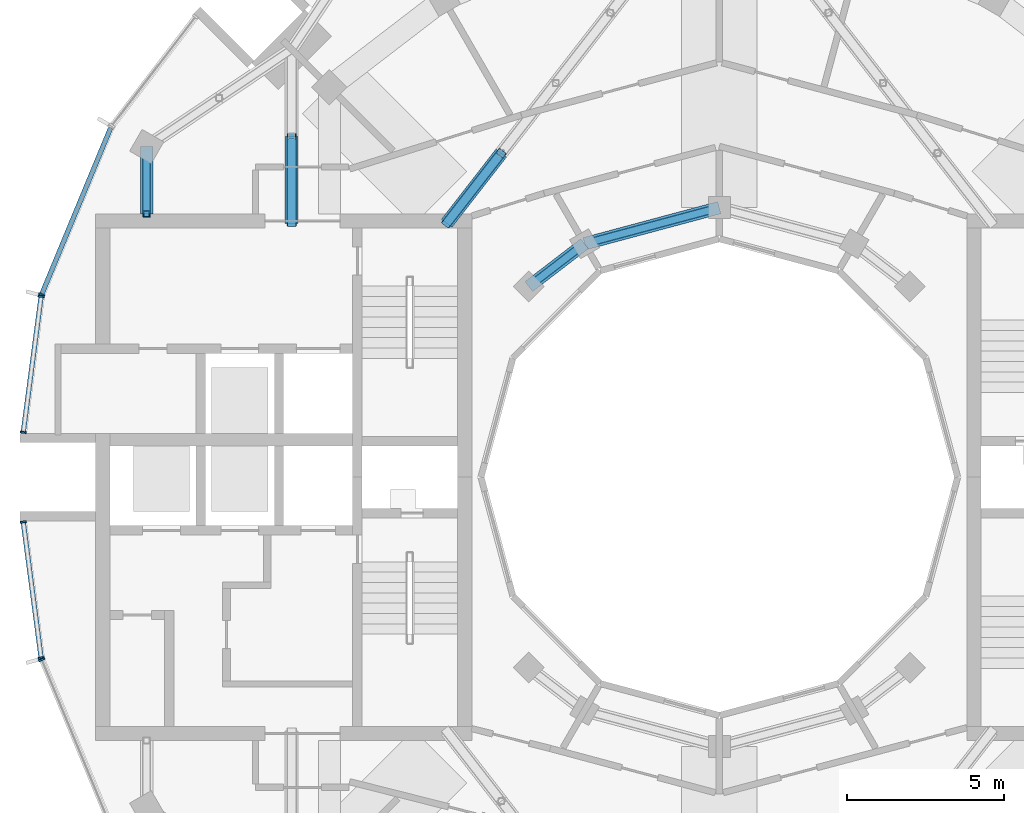
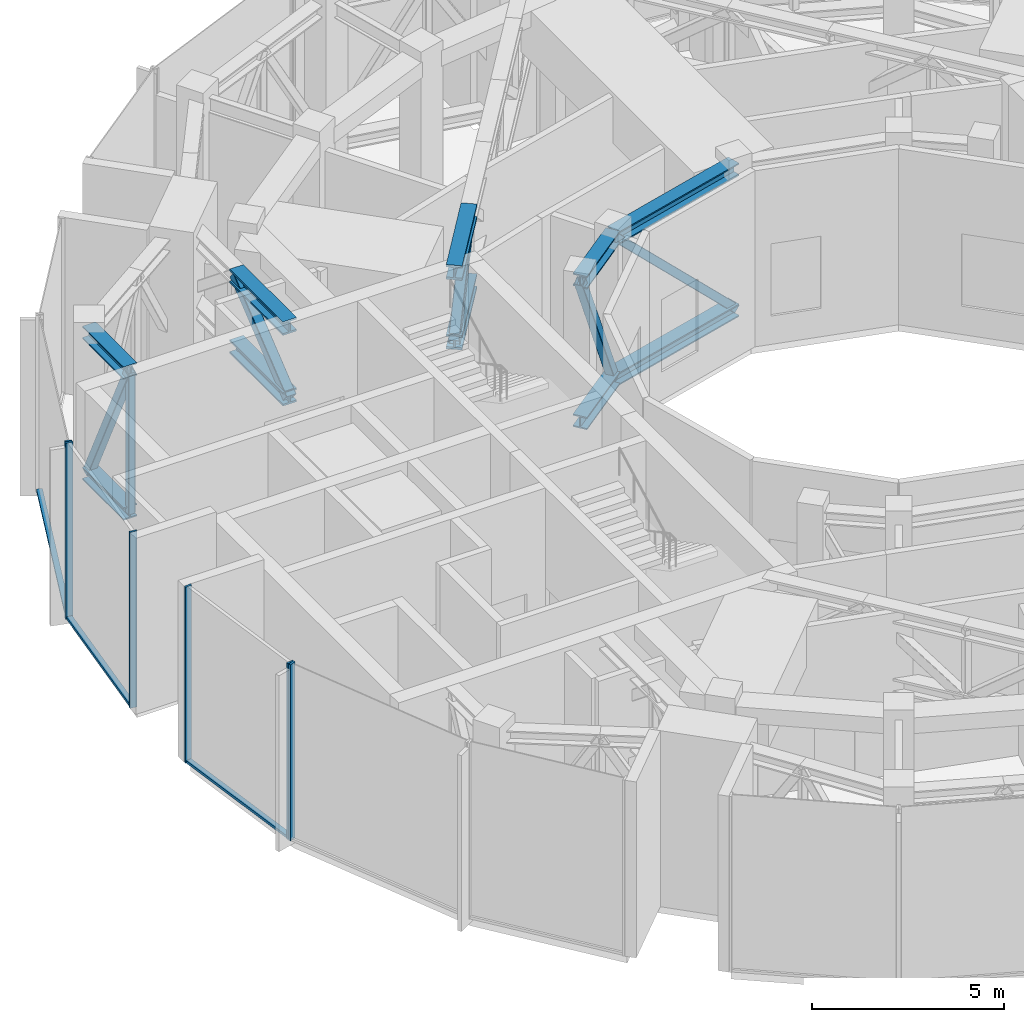
# One storey, part 4 of 17: 25 members, 4 elements without a shape of their own.
"""IFC4 building model written with IfcOpenShell, lengths in metres."""

from ifc_helpers import new_model, si_unit, direction, frame, origin, origin_2d, place, context, subcontext, project, spatial, rectangle, hollow_rectangle, i_section, extrude, material, layer, layer_set, material_profile, profile_set, type_object, element, aggregate, save


model = new_model("IFC4")

# Units and contexts
model_context = context("Model", 3, precision=1e-05, world=origin(), true_north=direction((0.0, 1.0)))
body_context = subcontext(model_context, "Body", "Model", "MODEL_VIEW")
ifc_project = project(units=[si_unit("LENGTHUNIT", "METRE"), si_unit("AREAUNIT", "SQUARE_METRE"), si_unit("VOLUMEUNIT", "CUBIC_METRE"), si_unit("PLANEANGLEUNIT", "RADIAN"), si_unit("MASSUNIT", "GRAM", prefix="KILO")], contexts=[model_context])

# Site, building, storey
site_placement = place(None, origin())
site = spatial("IfcSite", under=ifc_project, at=site_placement, CompositionType="ELEMENT")
building_placement = place(site_placement, origin())
building = spatial("IfcBuilding", under=site, at=building_placement, Name="Torre Brocal", CompositionType="ELEMENT")
storey_placement = place(building_placement, frame((0.0, 0.0, 309.300048828125)))
storey = spatial("IfcBuildingStorey", under=building, at=storey_placement, Name="L71", CompositionType="ELEMENT", Elevation=309.300048828125)

# Member
ifc_material_1 = material(Name="Steel A500 Grade C", Category="steel")
ifc_material_profile_1 = material_profile(ifc_material_1, hollow_rectangle(XDim=0.203125, YDim=0.203125, WallThickness=0.01171875, InnerFilletRadius=0.01171875, OuterFilletRadius=0.023681640625, at=origin_2d()), Name="HSS8X8X1/2")
ifc_profile_set_1 = profile_set([ifc_material_profile_1], Name="Steel A500 Grade C")
member_type_1 = type_object("IfcMemberType", Name="BELT 3 POST HSS8X8X1/2", PredefinedType="POST", material=ifc_profile_set_1)
member_1_placement = place(storey_placement, frame((61.726806640625, 83.39990234375, 0.599365234375), z_axis=(0.0, 0.0, 1.0), x_axis=(1.0, 0.0, 0.0)))
element("IfcMember", 1, at=member_1_placement, inside=storey, type_object=member_type_1, Name="Member BT3-P09", PredefinedType="POST", context=body_context, shape_type="SweptSolid", body=[
    extrude(hollow_rectangle(XDim=0.203125, YDim=0.203125, WallThickness=0.01171875, InnerFilletRadius=0.01171875, OuterFilletRadius=0.023681640625, at=origin_2d()), origin(), (0.0, 0.0, 1.0), 4.481201171875),
])

# Curtain wall, member
ifc_material_2 = material(Name="Aluminium and glass", Category="aluminium")
ifc_layer_1 = layer(ifc_material_2, 0.199951171875)
ifc_layer_set_1 = layer_set([ifc_layer_1], Name="Aluminium and glass")
curtain_wall_type_1 = type_object("IfcCurtainWallType", Name="CW-1 CURTAIN WALL 5600 HIGH", PredefinedType="NOTDEFINED", material=ifc_layer_set_1)
curtain_wall_1_placement = place(storey_placement, origin())
curtain_wall_1 = element("IfcCurtainWall", 2, at=curtain_wall_1_placement, inside=storey, type_object=curtain_wall_type_1, Name="CW-1 RUN 11", PredefinedType="NOTDEFINED")
ifc_material_3 = material(Name="Aluminium, dark anodised", Category="aluminium")
ifc_material_profile_2 = material_profile(ifc_material_3, rectangle(XDim=0.199951171875, YDim=0.06005859375, at=origin_2d()), Name="CW-1 MULLION 60X200")
ifc_profile_set_2 = profile_set([ifc_material_profile_2], Name="Aluminium, dark anodised")
member_type_2 = type_object("IfcMemberType", Name="CW-1 MULLION 60X200", PredefinedType="MULLION", material=ifc_profile_set_2)
member_2_placement = place(storey_placement, frame((58.37548828125, 80.824951171875, 0.0), z_axis=(0.0, 0.0, 1.0), x_axis=(0.923879532545, -0.382683432284, 0.0)))
member_2 = element("IfcMember", 3, at=member_2_placement, type_object=member_type_2, Name="CW1-2 mullion 2", PredefinedType="MULLION", context=body_context, shape_type="SweptSolid", body=[
    extrude(rectangle(XDim=0.199951171875, YDim=0.06005859375, at=origin_2d()), origin(), (0.0, 0.0, 1.0), 5.599853515625),
])

curtain_wall_2_placement = place(storey_placement, origin())
curtain_wall_2 = element("IfcCurtainWall", 4, at=curtain_wall_2_placement, inside=storey, type_object=curtain_wall_type_1, Name="CW-1 RUN 14", PredefinedType="NOTDEFINED")
member_3_placement = place(storey_placement, frame((58.37548828125, 69.175048828125, 0.0), z_axis=(0.0, 0.0, 1.0), x_axis=(0.923879532545, 0.382683432284, 0.0)))
member_3 = element("IfcMember", 5, at=member_3_placement, type_object=member_type_2, Name="CW1-2 mullion 1", PredefinedType="MULLION", context=body_context, shape_type="SweptSolid", body=[
    extrude(rectangle(XDim=0.199951171875, YDim=0.06005859375, at=origin_2d()), origin(), (0.0, 0.0, 1.0), 5.599853515625),
])
aggregate(curtain_wall_2, [member_3])

# Member
ifc_material_4 = material(Name="Aluminium, dark anodised", Category="aluminium")
ifc_material_profile_3 = material_profile(ifc_material_4, rectangle(XDim=0.159912109375, YDim=0.080078125, at=origin_2d()), Name="CW-1 TRANSOM 160X80")
ifc_profile_set_3 = profile_set([ifc_material_profile_3], Name="Aluminium, dark anodised")
member_type_3 = type_object("IfcMemberType", Name="CW-1 TRANSOM 160X80", PredefinedType="USERDEFINED", material=ifc_profile_set_3)
member_4_placement = place(storey_placement, frame((60.578857421875, 86.14404296875, 0.0400390625), z_axis=(-0.382710701355, -0.923868236854, 0.0), x_axis=(0.923868236854, -0.382710701355, 0.0)))
member_4 = element("IfcMember", 6, at=member_4_placement, type_object=member_type_3, Name="CW1-2 transom 1.1", ObjectType="TRANSOM", PredefinedType="USERDEFINED", context=body_context, shape_type="SweptSolid", body=[
    extrude(rectangle(XDim=0.159912109375, YDim=0.080078125, at=origin_2d()), origin(), (0.0, 0.0, 1.0), 5.727294921875),
])

aggregate(curtain_wall_1, [member_2, member_4])

# Curtain wall, members
ifc_material_5 = material(Name="Aluminium and glass", Category="aluminium")
ifc_layer_2 = layer(ifc_material_5, 0.199951171875)
ifc_layer_set_2 = layer_set([ifc_layer_2], Name="Aluminium and glass")
curtain_wall_type_2 = type_object("IfcCurtainWallType", Name="CW-1B CURTAIN WALL 5600 HIGH", PredefinedType="NOTDEFINED", material=ifc_layer_set_2)
curtain_wall_3_placement = place(storey_placement, origin())
curtain_wall_3 = element("IfcCurtainWall", 7, at=curtain_wall_3_placement, inside=storey, type_object=curtain_wall_type_2, Name="CW-1B RUN 12", PredefinedType="NOTDEFINED")
ifc_material_6 = material(Name="Aluminium, dark anodised", Category="aluminium")
ifc_material_profile_4 = material_profile(ifc_material_6, rectangle(XDim=0.199951171875, YDim=0.06005859375, at=origin_2d()), Name="CW-1B MULLION 60X200")
ifc_profile_set_4 = profile_set([ifc_material_profile_4], Name="Aluminium, dark anodised")
member_type_4 = type_object("IfcMemberType", Name="CW-1B MULLION 60X200", PredefinedType="MULLION", material=ifc_profile_set_4)
member_5_placement = place(storey_placement, frame((58.360107421875, 80.767578125, 0.0), z_axis=(0.0, 0.0, 1.0), x_axis=(0.991444861374, -0.13052619222, 0.0)))
member_5 = element("IfcMember", 8, at=member_5_placement, type_object=member_type_4, Name="CW1B-2 mullion 1", PredefinedType="MULLION", context=body_context, shape_type="SweptSolid", body=[
    extrude(rectangle(XDim=0.199951171875, YDim=0.06005859375, at=origin_2d()), origin(), (0.0, 0.0, 1.0), 5.599853515625),
])
member_6_placement = place(storey_placement, frame((57.7890625, 76.4296875, 0.0), z_axis=(0.0, 0.0, 1.0), x_axis=(0.991444861374, -0.13052619222, 0.0)))
member_6 = element("IfcMember", 9, at=member_6_placement, type_object=member_type_4, Name="CW1B-2 mullion 2", PredefinedType="MULLION", context=body_context, shape_type="SweptSolid", body=[
    extrude(rectangle(XDim=0.199951171875, YDim=0.06005859375, at=origin_2d()), origin(), (0.0, 0.0, 1.0), 5.599853515625),
])

curtain_wall_4_placement = place(storey_placement, origin())
curtain_wall_4 = element("IfcCurtainWall", 10, at=curtain_wall_4_placement, inside=storey, type_object=curtain_wall_type_2, Name="CW-1B RUN 13", PredefinedType="NOTDEFINED")
member_7_placement = place(storey_placement, frame((57.7890625, 73.5703125, 0.0), z_axis=(0.0, 0.0, 1.0), x_axis=(0.991444861374, 0.13052619222, 0.0)))
member_7 = element("IfcMember", 11, at=member_7_placement, type_object=member_type_4, Name="CW1B-2 mullion 1", PredefinedType="MULLION", context=body_context, shape_type="SweptSolid", body=[
    extrude(rectangle(XDim=0.199951171875, YDim=0.06005859375, at=origin_2d()), origin(), (0.0, 0.0, 1.0), 5.599853515625),
])
member_8_placement = place(storey_placement, frame((58.360107421875, 69.232421875, 0.0), z_axis=(0.0, 0.0, 1.0), x_axis=(0.991444861374, 0.13052619222, 0.0)))
member_8 = element("IfcMember", 12, at=member_8_placement, type_object=member_type_4, Name="CW1B-2 mullion 2", PredefinedType="MULLION", context=body_context, shape_type="SweptSolid", body=[
    extrude(rectangle(XDim=0.199951171875, YDim=0.06005859375, at=origin_2d()), origin(), (0.0, 0.0, 1.0), 5.599853515625),
])

# Member
ifc_material_7 = material(Name="Aluminium, dark anodised", Category="aluminium")
ifc_material_profile_5 = material_profile(ifc_material_7, rectangle(XDim=0.159912109375, YDim=0.080078125, at=origin_2d()), Name="CW-1B TRANSOM 160X80")
ifc_profile_set_5 = profile_set([ifc_material_profile_5], Name="Aluminium, dark anodised")
member_type_5 = type_object("IfcMemberType", Name="CW-1B TRANSOM 160X80", PredefinedType="USERDEFINED", material=ifc_profile_set_5)
member_9_placement = place(storey_placement, frame((58.356201171875, 80.73779296875, 0.0400390625), z_axis=(-0.130521833991, -0.991445435136, 0.0), x_axis=(0.991445435136, -0.130521833991, 0.0)))
member_9 = element("IfcMember", 13, at=member_9_placement, type_object=member_type_5, Name="CW1B-2 transom 1.1", ObjectType="TRANSOM", PredefinedType="USERDEFINED", context=body_context, shape_type="SweptSolid", body=[
    extrude(rectangle(XDim=0.159912109375, YDim=0.080078125, at=origin_2d()), origin(), (0.0, 0.0, 1.0), 4.315185546875),
])

aggregate(curtain_wall_3, [member_5, member_6, member_9])

member_10_placement = place(storey_placement, frame((57.79296875, 73.54052734375, 0.0400390625), z_axis=(0.130521833991, -0.991445435136, 0.0), x_axis=(0.991445435136, 0.130521833991, 0.0)))
member_10 = element("IfcMember", 14, at=member_10_placement, type_object=member_type_5, Name="CW1B-2 transom 1.1", ObjectType="TRANSOM", PredefinedType="USERDEFINED", context=body_context, shape_type="SweptSolid", body=[
    extrude(rectangle(XDim=0.159912109375, YDim=0.080078125, at=origin_2d()), origin(), (0.0, 0.0, 1.0), 4.315185546875),
])

aggregate(curtain_wall_4, [member_7, member_8, member_10])

# Members
ifc_material_8 = material(Name="Steel A992", Category="steel")
ifc_material_profile_6 = material_profile(ifc_material_8, i_section(OverallWidth=0.4013671875, OverallDepth=0.398681640625, WebThickness=0.02490234375, FlangeThickness=0.03955078125, at=origin_2d()), Name="W14X211")
ifc_profile_set_6 = profile_set([ifc_material_profile_6], Name="Steel A992")
member_type_6 = type_object("IfcMemberType", Name="TRUSS BOTTOM CHORD W14X211", PredefinedType="CHORD", material=ifc_profile_set_6)
member_11_placement = place(storey_placement, frame((61.726806640625, 85.550048828125, 0.599365234375), z_axis=(0.0, -1.0, 0.0), x_axis=(1.0, 0.0, 0.0)))
element("IfcMember", 15, at=member_11_placement, inside=storey, type_object=member_type_6, Name="Member BT3-C34", PredefinedType="CHORD", context=body_context, shape_type="SweptSolid", body=[
    extrude(i_section(OverallWidth=0.4013671875, OverallDepth=0.398681640625, WebThickness=0.02490234375, FlangeThickness=0.03955078125, at=origin_2d()), origin(), (0.0, 0.0, 1.0), 2.150146484375),
])
member_12_placement = place(storey_placement, frame((80.0, 83.60009765625, 0.599365234375), z_axis=(-0.965917450527, -0.25885030185, 0.0), x_axis=(0.25885030185, -0.965917450527, 0.0)))
element("IfcMember", 16, at=member_12_placement, inside=storey, type_object=member_type_6, Name="Member BT3-C78", PredefinedType="CHORD", context=body_context, shape_type="SweptSolid", body=[
    extrude(i_section(OverallWidth=0.4013671875, OverallDepth=0.398681640625, WebThickness=0.02490234375, FlangeThickness=0.03955078125, at=origin_2d()), origin(), (0.0, 0.0, 1.0), 4.45166015625),
])
member_13_placement = place(storey_placement, frame((75.699951171875, 82.44775390625, 0.599365234375), z_axis=(-0.793334976885, -0.608785359918, 0.0), x_axis=(0.608785359918, -0.793334976885, 0.0)))
element("IfcMember", 17, at=member_13_placement, inside=storey, type_object=member_type_6, Name="Member BT3-C80", PredefinedType="CHORD", context=body_context, shape_type="SweptSolid", body=[
    extrude(i_section(OverallWidth=0.4013671875, OverallDepth=0.398681640625, WebThickness=0.02490234375, FlangeThickness=0.03955078125, at=origin_2d()), origin(), (0.0, 0.0, 1.0), 2.244873046875),
])
ifc_material_9 = material(Name="Steel A992", Category="steel")
ifc_material_profile_7 = material_profile(ifc_material_9, i_section(OverallWidth=0.41162109375, OverallDepth=0.434326171875, WebThickness=0.035888671875, FlangeThickness=0.057373046875, at=origin_2d()), Name="W14X311")
ifc_profile_set_7 = profile_set([ifc_material_profile_7], Name="Steel A992")
member_type_7 = type_object("IfcMemberType", Name="TRUSS BOTTOM CHORD W14X311", PredefinedType="CHORD", material=ifc_profile_set_7)
member_14_placement = place(storey_placement, frame((66.352783203125, 83.10009765625, 2.817138671875), z_axis=(0.0, 1.0, 0.0), x_axis=(-1.0, 0.0, 0.0)))
element("IfcMember", 18, at=member_14_placement, inside=storey, type_object=member_type_7, Name="Member OT3-C26", PredefinedType="CHORD", context=body_context, shape_type="SweptSolid", body=[
    extrude(i_section(OverallWidth=0.41162109375, OverallDepth=0.434326171875, WebThickness=0.035888671875, FlangeThickness=0.057373046875, at=origin_2d()), origin(), (0.0, 0.0, 1.0), 2.7734375),
])
ifc_material_10 = material(Name="Steel A992", Category="steel")
ifc_material_profile_8 = material_profile(ifc_material_10, i_section(OverallWidth=0.421630859375, OverallDepth=0.46484375, WebThickness=0.044921875, FlangeThickness=0.072509765625, at=origin_2d()), Name="W14X398")
ifc_profile_set_8 = profile_set([ifc_material_profile_8], Name="Steel A992")
member_type_8 = type_object("IfcMemberType", Name="TRUSS BOTTOM CHORD W14X398", PredefinedType="CHORD", material=ifc_profile_set_8)
member_15_placement = place(storey_placement, frame((71.300048828125, 83.10009765625, 2.832275390625), z_axis=(0.613451858445, 0.789732117474, 0.0), x_axis=(-0.789732117474, 0.613451858445, 0.0)))
element("IfcMember", 19, at=member_15_placement, inside=storey, type_object=member_type_8, Name="Member OT3-C16", PredefinedType="CHORD", context=body_context, shape_type="SweptSolid", body=[
    extrude(i_section(OverallWidth=0.421630859375, OverallDepth=0.46484375, WebThickness=0.044921875, FlangeThickness=0.072509765625, at=origin_2d()), origin(), (0.0, 0.0, 1.0), 2.83642578125),
])
ifc_material_11 = material(Name="Steel A500 Grade C", Category="steel")
ifc_material_profile_9 = material_profile(ifc_material_11, hollow_rectangle(XDim=0.25390625, YDim=0.25390625, WallThickness=0.01171875, InnerFilletRadius=0.01171875, OuterFilletRadius=0.023681640625, at=origin_2d()), Name="HSS10X10X1/2")
ifc_profile_set_9 = profile_set([ifc_material_profile_9], Name="Steel A500 Grade C")
member_type_9 = type_object("IfcMemberType", Name="TRUSS DIAGONAL HSS10X10X1/2", PredefinedType="BRACE", material=ifc_profile_set_9)
member_16_placement = place(storey_placement, frame((61.726806640625, 85.550048828125, 0.599365234375), z_axis=(0.0, -0.432595329375, 0.901588199237), x_axis=(1.0, 0.0, 0.0)))
element("IfcMember", 20, at=member_16_placement, inside=storey, type_object=member_type_9, Name="Member BT3-D17", PredefinedType="BRACE", context=body_context, shape_type="SweptSolid", body=[
    extrude(hollow_rectangle(XDim=0.25390625, YDim=0.25390625, WallThickness=0.01171875, InnerFilletRadius=0.01171875, OuterFilletRadius=0.023681640625, at=origin_2d()), origin(), (0.0, 0.0, 1.0), 4.970458984375),
])
member_17_placement = place(storey_placement, frame((80.0, 83.60009765625, 0.599365234375), z_axis=(-0.680753322076, -0.182430913541, 0.709432080094), x_axis=(0.25885030185, -0.965917450527, 0.0)))
element("IfcMember", 21, at=member_17_placement, inside=storey, type_object=member_type_9, Name="Member BT3-D39", PredefinedType="BRACE", context=body_context, shape_type="SweptSolid", body=[
    extrude(hollow_rectangle(XDim=0.25390625, YDim=0.25390625, WallThickness=0.01171875, InnerFilletRadius=0.01171875, OuterFilletRadius=0.023681640625, at=origin_2d()), origin(), (0.0, 0.0, 1.0), 6.316650390625),
])
member_18_placement = place(storey_placement, frame((75.699951171875, 82.44775390625, 0.599365234375), z_axis=(-0.355342192665, -0.272680684652, 0.894078950837), x_axis=(0.608785359918, -0.793334976885, 0.0)))
element("IfcMember", 22, at=member_18_placement, inside=storey, type_object=member_type_9, Name="Member BT3-D40", PredefinedType="BRACE", context=body_context, shape_type="SweptSolid", body=[
    extrude(hollow_rectangle(XDim=0.25390625, YDim=0.25390625, WallThickness=0.01171875, InnerFilletRadius=0.01171875, OuterFilletRadius=0.023681640625, at=origin_2d()), origin(), (0.0, 0.0, 1.0), 5.01220703125),
])
ifc_material_12 = material(Name="Steel A500 Grade C", Category="steel")
ifc_material_profile_10 = material_profile(ifc_material_12, hollow_rectangle(XDim=0.3046875, YDim=0.3046875, WallThickness=0.014892578125, InnerFilletRadius=0.014892578125, OuterFilletRadius=0.029541015625, at=origin_2d()), Name="HSS12X12X5/8")
ifc_profile_set_10 = profile_set([ifc_material_profile_10], Name="Steel A500 Grade C")
member_type_10 = type_object("IfcMemberType", Name="TRUSS DIAGONAL HSS12X12X5/8", PredefinedType="BRACE", material=ifc_profile_set_10)
member_19_placement = place(storey_placement, frame((71.300048828125, 83.10009765625, 2.832275390625), z_axis=(0.483464594084, 0.622391981299, 0.615540581832), x_axis=(-0.789732117474, 0.613451858445, 0.0)))
element("IfcMember", 23, at=member_19_placement, inside=storey, type_object=member_type_10, Name="Member OT3-D08", PredefinedType="BRACE", context=body_context, shape_type="SweptSolid", body=[
    extrude(hollow_rectangle(XDim=0.3046875, YDim=0.3046875, WallThickness=0.014892578125, InnerFilletRadius=0.014892578125, OuterFilletRadius=0.029541015625, at=origin_2d()), origin(), (0.0, 0.0, 1.0), 3.59912109375),
])
member_20_placement = place(storey_placement, frame((66.352783203125, 83.10009765625, 2.817138671875), z_axis=(0.0, 0.777184325305, 0.62927301269), x_axis=(-1.0, 0.0, 0.0)))
element("IfcMember", 24, at=member_20_placement, inside=storey, type_object=member_type_10, Name="Member OT3-D13", PredefinedType="BRACE", context=body_context, shape_type="SweptSolid", body=[
    extrude(hollow_rectangle(XDim=0.3046875, YDim=0.3046875, WallThickness=0.014892578125, InnerFilletRadius=0.014892578125, OuterFilletRadius=0.029541015625, at=origin_2d()), origin(), (0.0, 0.0, 1.0), 3.568603515625),
])
ifc_material_13 = material(Name="Steel A992", Category="steel")
ifc_material_profile_11 = material_profile(ifc_material_13, i_section(OverallWidth=0.4013671875, OverallDepth=0.398681640625, WebThickness=0.02490234375, FlangeThickness=0.03955078125, at=origin_2d()), Name="W14X211")
ifc_profile_set_11 = profile_set([ifc_material_profile_11], Name="Steel A992")
member_type_11 = type_object("IfcMemberType", Name="TRUSS TOP CHORD W14X211", PredefinedType="CHORD", material=ifc_profile_set_11)
member_21_placement = place(storey_placement, frame((61.726806640625, 85.550048828125, 5.08056640625), z_axis=(0.0, -1.0, 0.0), x_axis=(1.0, 0.0, 0.0)))
element("IfcMember", 25, at=member_21_placement, inside=storey, type_object=member_type_11, Name="Member BT3-C33", PredefinedType="CHORD", context=body_context, shape_type="SweptSolid", body=[
    extrude(i_section(OverallWidth=0.4013671875, OverallDepth=0.398681640625, WebThickness=0.02490234375, FlangeThickness=0.03955078125, at=origin_2d()), origin(), (0.0, 0.0, 1.0), 2.150146484375),
])
member_22_placement = place(storey_placement, frame((80.0, 83.60009765625, 5.08056640625), z_axis=(-0.965917450527, -0.25885030185, 0.0), x_axis=(0.25885030185, -0.965917450527, 0.0)))
element("IfcMember", 26, at=member_22_placement, inside=storey, type_object=member_type_11, Name="Member BT3-C77", PredefinedType="CHORD", context=body_context, shape_type="SweptSolid", body=[
    extrude(i_section(OverallWidth=0.4013671875, OverallDepth=0.398681640625, WebThickness=0.02490234375, FlangeThickness=0.03955078125, at=origin_2d()), origin(), (0.0, 0.0, 1.0), 4.45166015625),
])
member_23_placement = place(storey_placement, frame((75.699951171875, 82.44775390625, 5.08056640625), z_axis=(-0.793334976885, -0.608785359918, 0.0), x_axis=(0.608785359918, -0.793334976885, 0.0)))
element("IfcMember", 27, at=member_23_placement, inside=storey, type_object=member_type_11, Name="Member BT3-C79", PredefinedType="CHORD", context=body_context, shape_type="SweptSolid", body=[
    extrude(i_section(OverallWidth=0.4013671875, OverallDepth=0.398681640625, WebThickness=0.02490234375, FlangeThickness=0.03955078125, at=origin_2d()), origin(), (0.0, 0.0, 1.0), 2.244873046875),
])
ifc_material_14 = material(Name="Steel A992", Category="steel")
ifc_material_profile_12 = material_profile(ifc_material_14, i_section(OverallWidth=0.41162109375, OverallDepth=0.434326171875, WebThickness=0.035888671875, FlangeThickness=0.057373046875, at=origin_2d()), Name="W14X311")
ifc_profile_set_12 = profile_set([ifc_material_profile_12], Name="Steel A992")
member_type_12 = type_object("IfcMemberType", Name="TRUSS TOP CHORD W14X311", PredefinedType="CHORD", material=ifc_profile_set_12)
member_24_placement = place(storey_placement, frame((66.352783203125, 83.10009765625, 5.062744140625), z_axis=(0.0, 1.0, 0.0), x_axis=(-1.0, 0.0, 0.0)))
element("IfcMember", 28, at=member_24_placement, inside=storey, type_object=member_type_12, Name="Member OT3-C25", PredefinedType="CHORD", context=body_context, shape_type="SweptSolid", body=[
    extrude(i_section(OverallWidth=0.41162109375, OverallDepth=0.434326171875, WebThickness=0.035888671875, FlangeThickness=0.057373046875, at=origin_2d()), origin(), (0.0, 0.0, 1.0), 2.7734375),
])
ifc_material_15 = material(Name="Steel A992", Category="steel")
ifc_material_profile_13 = material_profile(ifc_material_15, i_section(OverallWidth=0.421630859375, OverallDepth=0.46484375, WebThickness=0.044921875, FlangeThickness=0.072509765625, at=origin_2d()), Name="W14X398")
ifc_profile_set_13 = profile_set([ifc_material_profile_13], Name="Steel A992")
member_type_13 = type_object("IfcMemberType", Name="TRUSS TOP CHORD W14X398", PredefinedType="CHORD", material=ifc_profile_set_13)
member_25_placement = place(storey_placement, frame((71.300048828125, 83.10009765625, 5.047607421875), z_axis=(0.613451858445, 0.789732117474, 0.0), x_axis=(-0.789732117474, 0.613451858445, 0.0)))
element("IfcMember", 29, at=member_25_placement, inside=storey, type_object=member_type_13, Name="Member OT3-C15", PredefinedType="CHORD", context=body_context, shape_type="SweptSolid", body=[
    extrude(i_section(OverallWidth=0.421630859375, OverallDepth=0.46484375, WebThickness=0.044921875, FlangeThickness=0.072509765625, at=origin_2d()), origin(), (0.0, 0.0, 1.0), 2.83642578125),
])

save(model, "model.ifc")
